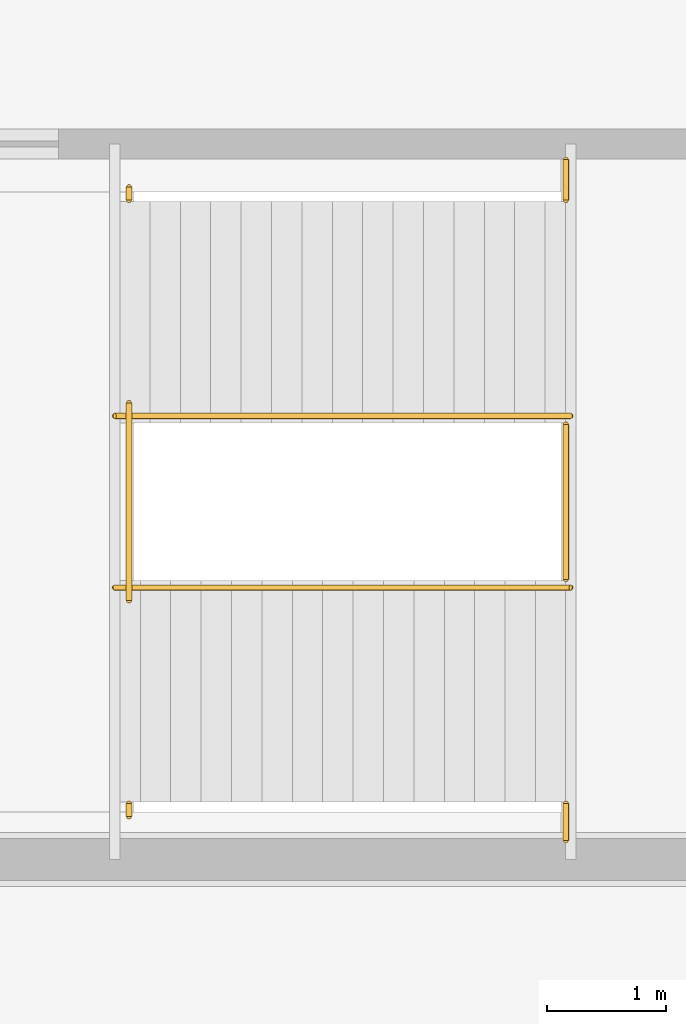
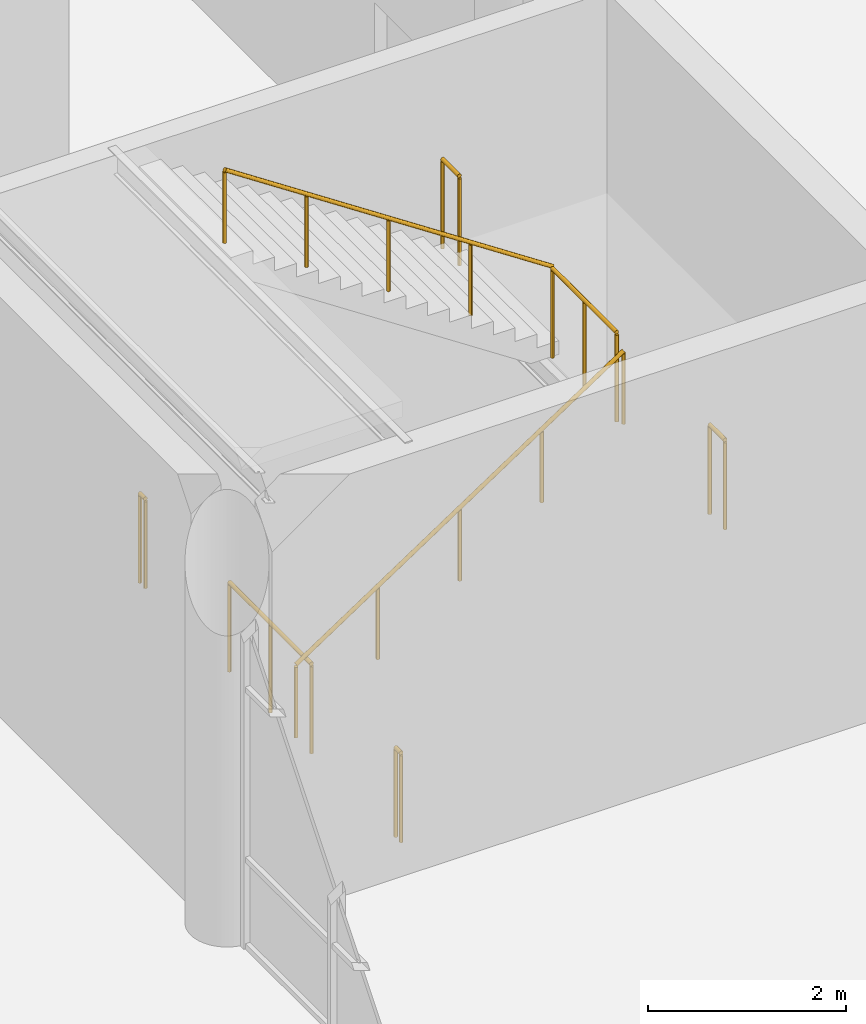
# One storey, part 115 of 123: 8 railings, 1 element without a shape of its own.
"""IFC4 building model written with IfcOpenShell, lengths in metres."""

from ifc_helpers import new_model, si_unit, direction, frame, origin, origin_2d, place, context, subcontext, project, spatial, circle, extrude, material, layer, layer_set, type_object, element, aggregate, save


model = new_model("IFC4")

# Units and contexts
model_context = context("Model", 3, precision=1e-05, world=origin(), true_north=direction((0.0, 1.0)))
body_context = subcontext(model_context, "Body", "Model", "MODEL_VIEW")
ifc_project = project(units=[si_unit("LENGTHUNIT", "METRE"), si_unit("AREAUNIT", "SQUARE_METRE"), si_unit("VOLUMEUNIT", "CUBIC_METRE"), si_unit("PLANEANGLEUNIT", "RADIAN"), si_unit("MASSUNIT", "GRAM", prefix="KILO")], contexts=[model_context])

# Site, building, storey
site_placement = place(None, origin())
site = spatial("IfcSite", under=ifc_project, at=site_placement, CompositionType="ELEMENT")
building_placement = place(site_placement, origin())
building = spatial("IfcBuilding", under=site, at=building_placement, Name="Tenunan Teduh Sports Hall", CompositionType="ELEMENT")
storey_placement = place(building_placement, origin())
storey = spatial("IfcBuildingStorey", under=building, at=storey_placement, Name="L00", CompositionType="ELEMENT", Elevation=0.0)

# Railings
ifc_material_1 = material(Name="Galvanised and powder-coated steel", Category="steel")
ifc_layer_1 = layer(ifc_material_1, 0.070068359375)
ifc_layer_set_1 = layer_set([ifc_layer_1], Name="Galvanised and powder-coated steel")
railing_type_1 = type_object("IfcRailingType", Name="RLG-EXT-GRD", PredefinedType="GUARDRAIL", material=ifc_layer_set_1)
railing_1_placement = place(storey_placement, frame((72.239990234375, 56.169921875, 0.0)))
element("IfcRailing", 1, at=railing_1_placement, inside=storey, type_object=railing_type_1, Name="RLG-STW-WLND-C1-B1", PredefinedType="GUARDRAIL", context=body_context, shape_type="SweptSolid", body=[
    extrude(circle(Radius=0.02392578125, at=origin_2d()), frame((0.0, 0.0, 1.09619140625), z_axis=(0.0, 1.0, 0.0), x_axis=(-1.0, 0.0, 0.0)), (0.0, 0.0, 1.0), 1.66015625),
    extrude(circle(Radius=0.02099609375, at=origin_2d()), origin(), (0.0, 0.0, 1.0), 1.072021484375),
    extrude(circle(Radius=0.02099609375, at=origin_2d()), frame((0.0, 0.830078125, 0.0)), (0.0, 0.0, 1.0), 1.072021484375),
    extrude(circle(Radius=0.02099609375, at=origin_2d()), frame((0.0, 1.66015625, 0.0)), (0.0, 0.0, 1.0), 1.072021484375),
])
for number, where, name in (
    (2, (72.239990234375, 54.360107421875, 0.0), "RLG-STW-WLNDS-C1-B1"),
    (3, (72.239990234375, 59.530029296875, 0.0), "RLG-STW-WLNDN-C1-B1"),
):
    element("IfcRailing", number, at=place(storey_placement, frame(where)), inside=storey, type_object=railing_type_1, Name=name, PredefinedType="GUARDRAIL", context=body_context, shape_type="SweptSolid", body=[
        extrude(circle(Radius=0.02392578125, at=origin_2d()), frame((0.0, 0.0, 1.09619140625), z_axis=(0.0, 1.0, 0.0), x_axis=(-1.0, 0.0, 0.0)), (0.0, 0.0, 1.0), 0.10986328125),
        extrude(circle(Radius=0.02099609375, at=origin_2d()), origin(), (0.0, 0.0, 1.0), 1.072021484375),
        extrude(circle(Radius=0.02099609375, at=origin_2d()), frame((0.0, 0.10986328125, 0.0)), (0.0, 0.0, 1.0), 1.072021484375),
    ])
railing_2_placement = place(storey_placement, frame((75.905029296875, 56.35009765625, 2.699951171875)))
element("IfcRailing", 4, at=railing_2_placement, inside=storey, type_object=railing_type_1, Name="RLG-STW-MID-C1-L00", PredefinedType="GUARDRAIL", context=body_context, shape_type="SweptSolid", body=[
    extrude(circle(Radius=0.02392578125, at=origin_2d()), frame((0.0, 0.0, 1.09619140625), z_axis=(0.0, 1.0, 0.0), x_axis=(-1.0, 0.0, 0.0)), (0.0, 0.0, 1.0), 1.2998046875),
    extrude(circle(Radius=0.02099609375, at=origin_2d()), origin(), (0.0, 0.0, 1.0), 1.072021484375),
    extrude(circle(Radius=0.02099609375, at=origin_2d()), frame((0.0, 0.64990234375, 0.0)), (0.0, 0.0, 1.0), 1.072021484375),
    extrude(circle(Radius=0.02099609375, at=origin_2d()), frame((0.0, 1.2998046875, 0.0)), (0.0, 0.0, 1.0), 1.072021484375),
])
railing_3_placement = place(storey_placement, frame((75.905029296875, 54.159912109375, 2.699951171875)))
element("IfcRailing", 5, at=railing_3_placement, inside=storey, type_object=railing_type_1, Name="RLG-STW-MIDS-C1-L00", PredefinedType="GUARDRAIL", context=body_context, shape_type="SweptSolid", body=[
    extrude(circle(Radius=0.02392578125, at=origin_2d()), frame((0.0, 0.0, 1.09619140625), z_axis=(0.0, 1.0, 0.0), x_axis=(-1.0, 0.0, 0.0)), (0.0, 0.0, 1.0), 0.31005859375),
    extrude(circle(Radius=0.02099609375, at=origin_2d()), origin(), (0.0, 0.0, 1.0), 1.072021484375),
    extrude(circle(Radius=0.02099609375, at=origin_2d()), frame((0.0, 0.31005859375, 0.0)), (0.0, 0.0, 1.0), 1.072021484375),
])
railing_4_placement = place(storey_placement, frame((75.905029296875, 59.530029296875, 2.699951171875)))
element("IfcRailing", 6, at=railing_4_placement, inside=storey, type_object=railing_type_1, Name="RLG-STW-MIDN-C1-L00", PredefinedType="GUARDRAIL", context=body_context, shape_type="SweptSolid", body=[
    extrude(circle(Radius=0.02392578125, at=origin_2d()), frame((0.0, 0.0, 1.09619140625), z_axis=(0.0, 1.0, 0.0), x_axis=(-1.0, 0.0, 0.0)), (0.0, 0.0, 1.0), 0.340087890625),
    extrude(circle(Radius=0.02099609375, at=origin_2d()), origin(), (0.0, 0.0, 1.0), 1.072021484375),
    extrude(circle(Radius=0.02099609375, at=origin_2d()), frame((0.0, 0.340087890625, 0.0)), (0.0, 0.0, 1.0), 1.072021484375),
])

# Stair, railings
ifc_material_2 = material(Name="Precast concrete C40/50", Category="concrete")
stair_type = type_object("IfcStairType", Name="STR-CORE-54", PredefinedType="HALF_TURN_STAIR", material=ifc_material_2)
stair_placement = place(storey_placement, origin())
stair = element("IfcStair", 7, at=stair_placement, inside=storey, type_object=stair_type, Name="STR-C1-L00", PredefinedType="HALF_TURN_STAIR")
ifc_material_3 = material(Name="Brushed stainless steel", Category="steel")
ifc_layer_2 = layer(ifc_material_3, 0.050048828125)
ifc_layer_set_2 = layer_set([ifc_layer_2], Name="Brushed stainless steel")
railing_type_2 = type_object("IfcRailingType", Name="RLG-STAIR-HR", PredefinedType="HANDRAIL", material=ifc_layer_set_2)
railing_5_placement = place(storey_placement, frame((72.1201171875, 56.280029296875, 0.168701171875)))
railing_5 = element("IfcRailing", 8, at=railing_5_placement, type_object=railing_type_2, Name="STR-C1-L00-HR1", PredefinedType="HANDRAIL", context=body_context, shape_type="SweptSolid", body=[
    extrude(circle(Radius=0.02392578125, at=origin_2d()), frame((0.0, 0.0, 0.89599609375), z_axis=(0.833928963496, 0.0, 0.551871800187), x_axis=(0.0, 1.0, 0.0)), (0.0, 0.0, 1.0), 4.586669921875),
    extrude(circle(Radius=0.02099609375, at=origin_2d()), origin(), (0.0, 0.0, 1.0), 0.871826171875),
    extrude(circle(Radius=0.02099609375, at=origin_2d()), frame((0.956298828125, 0.0, 0.6328125)), (0.0, 0.0, 1.0), 0.871826171875),
    extrude(circle(Radius=0.02099609375, at=origin_2d()), frame((1.91259765625, 0.0, 1.265625)), (0.0, 0.0, 1.0), 0.871826171875),
    extrude(circle(Radius=0.02099609375, at=origin_2d()), frame((2.86865234375, 0.0, 1.8984375)), (0.0, 0.0, 1.0), 0.871826171875),
    extrude(circle(Radius=0.02099609375, at=origin_2d()), frame((3.824951171875, 0.0, 2.53125)), (0.0, 0.0, 1.0), 0.871826171875),
])
railing_6_placement = place(storey_placement, frame((75.945068359375, 57.719970703125, 2.86865234375)))
railing_6 = element("IfcRailing", 9, at=railing_6_placement, type_object=railing_type_2, Name="STR-C1-L00-HR2", PredefinedType="HANDRAIL", context=body_context, shape_type="SweptSolid", body=[
    extrude(circle(Radius=0.02392578125, at=origin_2d()), frame((0.0, 0.0, 0.89599609375), z_axis=(-0.833928963496, 0.0, 0.551871800187), x_axis=(0.0, -1.0, 0.0)), (0.0, 0.0, 1.0), 4.586669921875),
    extrude(circle(Radius=0.02099609375, at=origin_2d()), origin(), (0.0, 0.0, 1.0), 0.871826171875),
    extrude(circle(Radius=0.02099609375, at=origin_2d()), frame((-0.956298828125, 0.0, 0.6328125)), (0.0, 0.0, 1.0), 0.871826171875),
    extrude(circle(Radius=0.02099609375, at=origin_2d()), frame((-1.91259765625, 0.0, 1.265625)), (0.0, 0.0, 1.0), 0.871826171875),
    extrude(circle(Radius=0.02099609375, at=origin_2d()), frame((-2.86865234375, 0.0, 1.8984375)), (0.0, 0.0, 1.0), 0.871826171875),
    extrude(circle(Radius=0.02099609375, at=origin_2d()), frame((-3.824951171875, 0.0, 2.53125)), (0.0, 0.0, 1.0), 0.871826171875),
])
aggregate(stair, [railing_5, railing_6])

save(model, "model.ifc")
